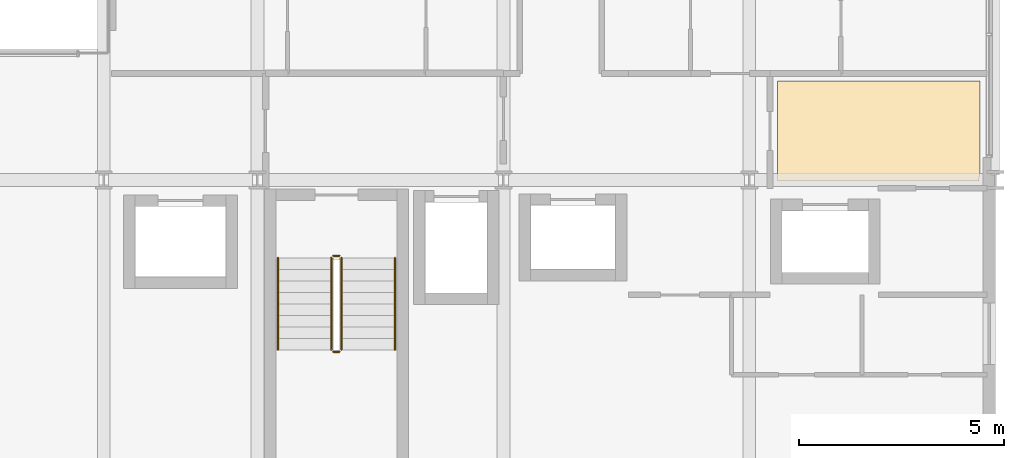
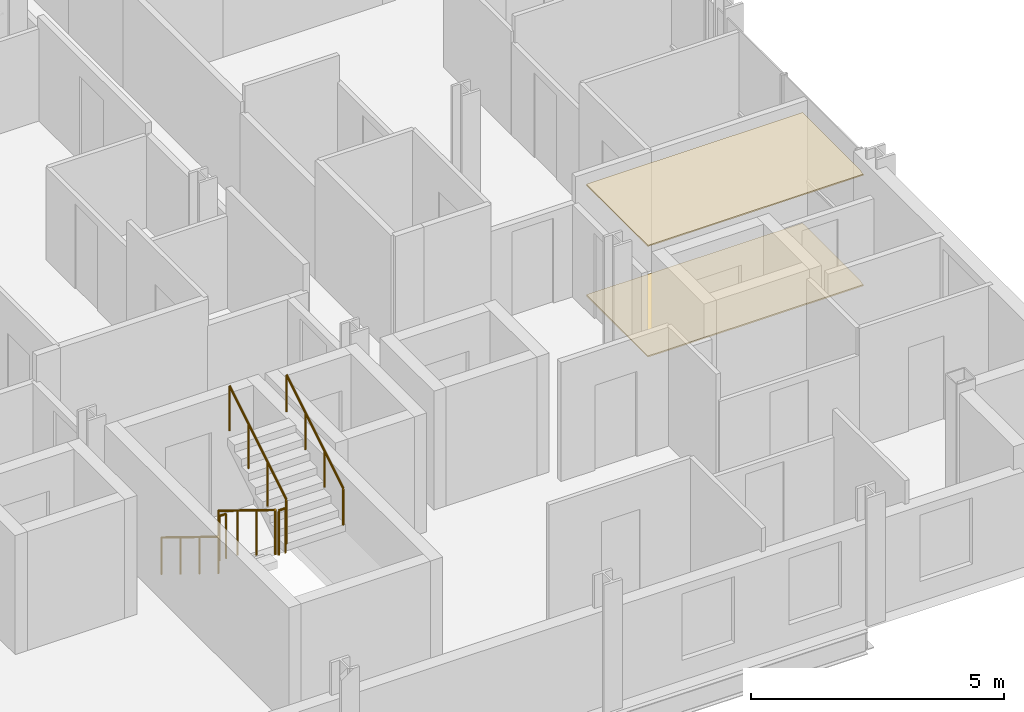
# One storey, part 40 of 41: 6 railings, 2 coverings.
"""IFC4 building model written with IfcOpenShell, lengths in metres."""

from ifc_helpers import new_model, si_unit, direction, frame, origin, origin_2d, place, context, subcontext, project, spatial, polyline, circle, outline, extrude, material, layer, layer_set, type_object, element, save


model = new_model("IFC4")

# Units and contexts
model_context = context("Model", 3, precision=1e-05, world=origin(), true_north=direction((0.0, 1.0)))
body_context = subcontext(model_context, "Body", "Model", "MODEL_VIEW")
ifc_project = project(units=[si_unit("LENGTHUNIT", "METRE"), si_unit("AREAUNIT", "SQUARE_METRE"), si_unit("VOLUMEUNIT", "CUBIC_METRE"), si_unit("PLANEANGLEUNIT", "RADIAN"), si_unit("MASSUNIT", "GRAM", prefix="KILO")], contexts=[model_context])

# Site, building, storey
site_placement = place(None, origin())
site = spatial("IfcSite", under=ifc_project, at=site_placement, CompositionType="ELEMENT")
building_placement = place(site_placement, origin())
building = spatial("IfcBuilding", under=site, at=building_placement, Name="Brevholm Reach", CompositionType="ELEMENT")
storey_placement = place(building_placement, frame((0.0, 0.0, 68.300048828125)))
storey = spatial("IfcBuildingStorey", under=building, at=storey_placement, Name="L19", CompositionType="ELEMENT", Elevation=68.300048828125)

# Coverings
ifc_material_1 = material(Name="Moisture-Resistant Skimmed Gypsum Plasterboard Ceiling", Category="gypsum")
ifc_layer_1 = layer(ifc_material_1, 0.030029296875)
ifc_layer_set_1 = layer_set([ifc_layer_1], Name="Moisture-Resistant Skimmed Gypsum Plasterboard Ceiling")
covering_type_1 = type_object("IfcCoveringType", Name="COV-CLG-GYP", PredefinedType="CEILING", material=ifc_layer_set_1)
covering_1_placement = place(storey_placement, frame((0.0, 0.0, 2.669921875)))
element("IfcCovering", 1, at=covering_1_placement, inside=storey, type_object=covering_type_1, Name="L19 Suspended Ceiling L19-35", PredefinedType="CEILING", context=body_context, shape_type="SweptSolid", body=[
    extrude(outline(polyline([(59.6201171875, 12.419921875), (59.6201171875, 10.123779296875), (59.6171875, 10.1162109375), (59.607666015625, 10.077880859375), (59.601806640625, 10.039306640625), (59.60009765625, 10.0), (59.60107421875, 9.97998046875), (54.68408203125, 9.97998046875), (54.68408203125, 12.419921875), (59.6201171875, 12.419921875)])), origin(), (0.0, 0.0, 1.0), 0.030029296875),
])
ifc_material_2 = material(Name="Honed Portland-Aggregate Resin Terrazzo Flooring", Category="concrete")
ifc_layer_2 = layer(ifc_material_2, 0.031982421875)
ifc_layer_set_2 = layer_set([ifc_layer_2], Name="Honed Portland-Aggregate Resin Terrazzo Flooring")
covering_type_2 = type_object("IfcCoveringType", Name="COV-FLR-TRZ", PredefinedType="FLOORING", material=ifc_layer_set_2)
covering_2_placement = place(storey_placement, origin())
element("IfcCovering", 2, at=covering_2_placement, inside=storey, type_object=covering_type_2, Name="L19 Floor Finish L19-35", PredefinedType="FLOORING", context=body_context, shape_type="SweptSolid", body=[
    extrude(outline(polyline([(59.6201171875, 12.419921875), (59.6201171875, 10.123779296875), (59.6171875, 10.1162109375), (59.607666015625, 10.077880859375), (59.601806640625, 10.039306640625), (59.60009765625, 10.0), (59.60107421875, 9.97998046875), (54.68408203125, 9.97998046875), (54.68408203125, 12.419921875), (59.6201171875, 12.419921875)])), origin(), (0.0, 0.0, 1.0), 0.031982421875),
])

# Railings
ifc_material_3 = material(Name="Brushed Stainless Steel EN 1.4401 Continuous Handrail", Category="steel")
railing_type_1 = type_object("IfcRailingType", Name="RAL-HND-950", PredefinedType="HANDRAIL", material=ifc_material_3)
railing_1_placement = place(storey_placement, frame((42.5, 8.10009765625, 0.172119140625)))
element("IfcRailing", 3, at=railing_1_placement, inside=storey, type_object=railing_type_1, Name="L19 ST-2 stair handrail 1", PredefinedType="HANDRAIL", context=body_context, shape_type="SweptSolid", body=[
    extrude(circle(Radius=0.02392578125, at=origin_2d()), frame((0.0, 0.0, 0.8857421875), z_axis=(0.0, -0.851747552033, 0.523952390591), x_axis=(1.0, 0.0, 0.0)), (0.0, 0.0, 1.0), 2.6298828125),
    extrude(circle(Radius=0.02099609375, at=origin_2d()), origin(), (0.0, 0.0, 1.0), 0.86181640625),
    extrude(circle(Radius=0.02099609375, at=origin_2d()), frame((0.0, -0.74658203125, 0.459228515625)), (0.0, 0.0, 1.0), 0.86181640625),
    extrude(circle(Radius=0.02099609375, at=origin_2d()), frame((0.0, -1.493408203125, 0.918701171875)), (0.0, 0.0, 1.0), 0.86181640625),
    extrude(circle(Radius=0.02099609375, at=origin_2d()), frame((0.0, -2.239990234375, 1.3779296875)), (0.0, 0.0, 1.0), 0.86181640625),
])
railing_2_placement = place(storey_placement, frame((45.35009765625, 5.860107421875, 1.72216796875)))
element("IfcRailing", 4, at=railing_2_placement, inside=storey, type_object=railing_type_1, Name="L19 ST-2 stair handrail 2", PredefinedType="HANDRAIL", context=body_context, shape_type="SweptSolid", body=[
    extrude(circle(Radius=0.02392578125, at=origin_2d()), frame((0.0, 0.0, 0.8857421875), z_axis=(0.0, 0.85178898068, 0.523885037382), x_axis=(-1.0, 0.0, 0.0)), (0.0, 0.0, 1.0), 2.629638671875),
    extrude(circle(Radius=0.02099609375, at=origin_2d()), origin(), (0.0, 0.0, 1.0), 0.86181640625),
    extrude(circle(Radius=0.02099609375, at=origin_2d()), frame((0.0, 0.74658203125, 0.459228515625)), (0.0, 0.0, 1.0), 0.86181640625),
    extrude(circle(Radius=0.02099609375, at=origin_2d()), frame((0.0, 1.493408203125, 0.91845703125)), (0.0, 0.0, 1.0), 0.86181640625),
    extrude(circle(Radius=0.02099609375, at=origin_2d()), frame((0.0, 2.239990234375, 1.377685546875)), (0.0, 0.0, 1.0), 0.86181640625),
])
ifc_material_4 = material(Name="Painted Tubular Galvanised Steel S275JR Stair Guard", Category="steel")
railing_type_2 = type_object("IfcRailingType", Name="RAL-STG-1120", PredefinedType="BALUSTRADE", material=ifc_material_4)
railing_3_placement = place(storey_placement, frame((43.800048828125, 8.10009765625, 0.172119140625)))
element("IfcRailing", 5, at=railing_3_placement, inside=storey, type_object=railing_type_2, Name="L19 ST-2 stair guard 1", PredefinedType="BALUSTRADE", context=body_context, shape_type="SweptSolid", body=[
    extrude(circle(Radius=0.02392578125, at=origin_2d()), frame((0.0, 0.0, 1.076171875), z_axis=(0.0, -0.851747552033, 0.523952390591), x_axis=(1.0, 0.0, 0.0)), (0.0, 0.0, 1.0), 2.6298828125),
    extrude(circle(Radius=0.02099609375, at=origin_2d()), origin(), (0.0, 0.0, 1.0), 1.052001953125),
    extrude(circle(Radius=0.02099609375, at=origin_2d()), frame((0.0, -0.74658203125, 0.459228515625)), (0.0, 0.0, 1.0), 1.052001953125),
    extrude(circle(Radius=0.02099609375, at=origin_2d()), frame((0.0, -1.493408203125, 0.918701171875)), (0.0, 0.0, 1.0), 1.052001953125),
    extrude(circle(Radius=0.02099609375, at=origin_2d()), frame((0.0, -2.239990234375, 1.3779296875)), (0.0, 0.0, 1.0), 1.052001953125),
])
railing_4_placement = place(storey_placement, frame((43.85009765625, 5.81005859375, 1.550048828125)))
element("IfcRailing", 6, at=railing_4_placement, inside=storey, type_object=railing_type_2, Name="L19 ST-2 stair guard 2", PredefinedType="BALUSTRADE", context=body_context, shape_type="SweptSolid", body=[
    extrude(circle(Radius=0.02392578125, at=origin_2d()), frame((0.0, 0.0, 1.076171875), z_axis=(1.0, 0.0, 0.0), x_axis=(0.0, 1.0, 0.0)), (0.0, 0.0, 1.0), 0.14990234375),
    extrude(circle(Radius=0.02099609375, at=origin_2d()), origin(), (0.0, 0.0, 1.0), 1.052001953125),
    extrude(circle(Radius=0.02099609375, at=origin_2d()), frame((0.14990234375, 0.0, 0.0)), (0.0, 0.0, 1.0), 1.052001953125),
])
railing_5_placement = place(storey_placement, frame((44.050048828125, 5.860107421875, 1.72216796875)))
element("IfcRailing", 7, at=railing_5_placement, inside=storey, type_object=railing_type_2, Name="L19 ST-2 stair guard 3", PredefinedType="BALUSTRADE", context=body_context, shape_type="SweptSolid", body=[
    extrude(circle(Radius=0.02392578125, at=origin_2d()), frame((0.0, 0.0, 1.076171875), z_axis=(0.0, 0.85178898068, 0.523885037382), x_axis=(-1.0, 0.0, 0.0)), (0.0, 0.0, 1.0), 2.629638671875),
    extrude(circle(Radius=0.02099609375, at=origin_2d()), origin(), (0.0, 0.0, 1.0), 1.052001953125),
    extrude(circle(Radius=0.02099609375, at=origin_2d()), frame((0.0, 0.74658203125, 0.459228515625)), (0.0, 0.0, 1.0), 1.052001953125),
    extrude(circle(Radius=0.02099609375, at=origin_2d()), frame((0.0, 1.493408203125, 0.91845703125)), (0.0, 0.0, 1.0), 1.052001953125),
    extrude(circle(Radius=0.02099609375, at=origin_2d()), frame((0.0, 2.239990234375, 1.377685546875)), (0.0, 0.0, 1.0), 1.052001953125),
])
railing_6_placement = place(storey_placement, frame((43.85009765625, 8.14990234375, 0.0)))
element("IfcRailing", 8, at=railing_6_placement, inside=storey, type_object=railing_type_2, Name="L19 ST-2 stair guard 4", PredefinedType="BALUSTRADE", context=body_context, shape_type="SweptSolid", body=[
    extrude(circle(Radius=0.02392578125, at=origin_2d()), frame((0.0, 0.0, 1.076171875), z_axis=(1.0, 0.0, 0.0), x_axis=(0.0, 1.0, 0.0)), (0.0, 0.0, 1.0), 0.14990234375),
    extrude(circle(Radius=0.02099609375, at=origin_2d()), origin(), (0.0, 0.0, 1.0), 1.052001953125),
    extrude(circle(Radius=0.02099609375, at=origin_2d()), frame((0.14990234375, 0.0, 0.0)), (0.0, 0.0, 1.0), 1.052001953125),
])

save(model, "model.ifc")
